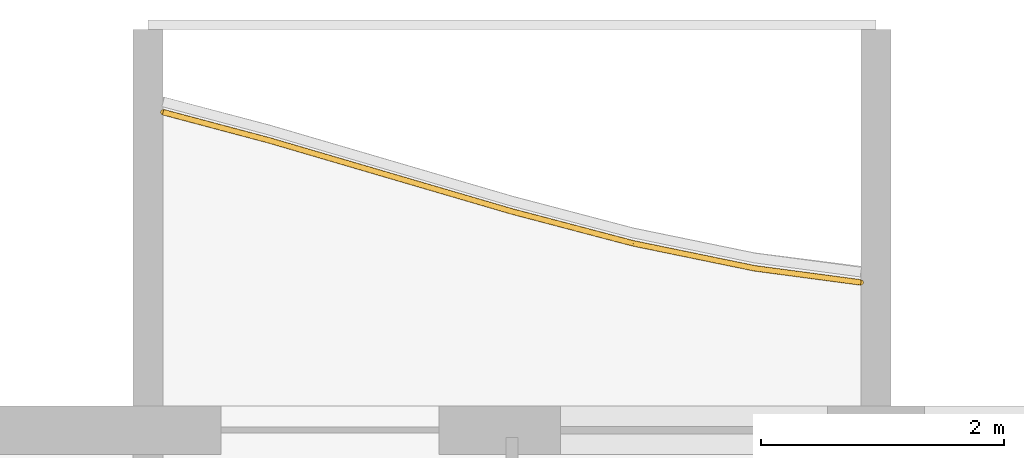
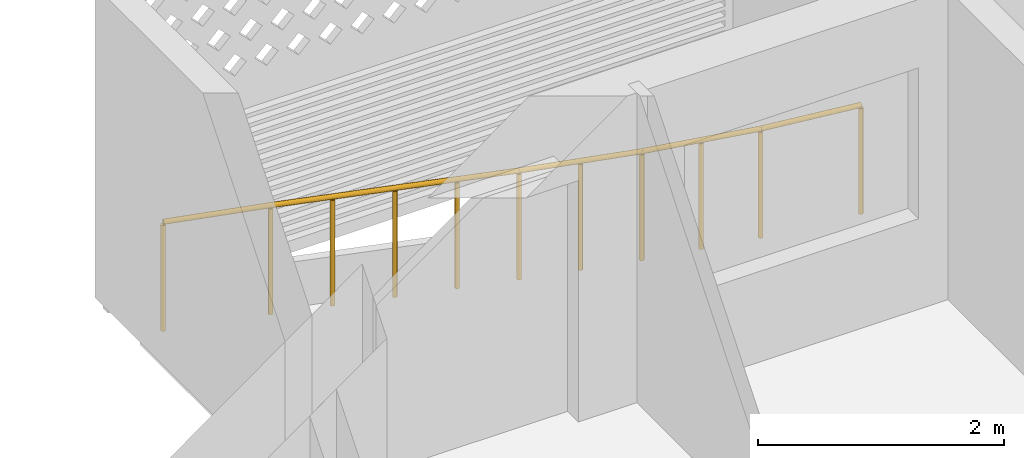
# One storey, part 15 of 26: 1 railing.
"""IFC4 building model written with IfcOpenShell, lengths in metres."""

from ifc_helpers import new_model, si_unit, direction, frame, origin, origin_2d, place, context, subcontext, project, spatial, circle, extrude, material, type_object, element, save


model = new_model("IFC4")

# Units and contexts
model_context = context("Model", 3, precision=1e-05, world=origin(), true_north=direction((0.0, 1.0)))
body_context = subcontext(model_context, "Body", "Model", "MODEL_VIEW")
ifc_project = project(units=[si_unit("LENGTHUNIT", "METRE"), si_unit("AREAUNIT", "SQUARE_METRE"), si_unit("VOLUMEUNIT", "CUBIC_METRE"), si_unit("PLANEANGLEUNIT", "RADIAN"), si_unit("MASSUNIT", "GRAM", prefix="KILO")], contexts=[model_context])

# Site, building, storey
site_placement = place(None, origin())
site = spatial("IfcSite", under=ifc_project, at=site_placement, CompositionType="ELEMENT")
building_placement = place(site_placement, origin())
building = spatial("IfcBuilding", under=site, at=building_placement, Name="Poui Terraces", CompositionType="ELEMENT")
storey_placement = place(building_placement, frame((0.0, 0.0, 241.199951171875)))
storey = spatial("IfcBuildingStorey", under=building, at=storey_placement, Name="L67", CompositionType="ELEMENT", Elevation=241.199951171875)

# Railing
ifc_material = material(Name="Painted steel fretwork", Category="steel")
railing_type = type_object("IfcRailingType", Name="BALCONY GUARD 1100", PredefinedType="GUARDRAIL", material=ifc_material)
railing_placement = place(storey_placement, frame((24.125, 43.820556640625, 0.0)))
element("IfcRailing", 1, at=railing_placement, inside=storey, type_object=railing_type, Name="BALCONY GUARD", PredefinedType="GUARDRAIL", context=body_context, shape_type="SweptSolid", body=[
    extrude(circle(Radius=0.02392578125, at=origin_2d()), frame((0.0, 0.0, 1.076171875), z_axis=(0.966418189442, -0.256974479503, 0.0), x_axis=(0.256974479503, 0.966418189442, 0.0)), (0.0, 0.0, 1.0), 0.905517578125),
    extrude(circle(Radius=0.02392578125, at=origin_2d()), frame((0.875, -0.232666015625, 1.076171875), z_axis=(0.959663427085, -0.281151394654, 0.0), x_axis=(0.281151394654, 0.959663427085, 0.0)), (0.0, 0.0, 1.0), 1.0419921875),
    extrude(circle(Radius=0.02392578125, at=origin_2d()), frame((1.875, -0.525634765625, 1.076171875), z_axis=(0.959726621702, -0.280935600444, 0.0), x_axis=(0.280935600444, 0.959726621702, 0.0)), (0.0, 0.0, 1.0), 1.0419921875),
    extrude(circle(Radius=0.02392578125, at=origin_2d()), frame((2.875, -0.818359375, 1.076171875), z_axis=(0.967126511287, -0.25429571598, 0.0), x_axis=(0.25429571598, 0.967126511287, 0.0)), (0.0, 0.0, 1.0), 1.033935546875),
    extrude(circle(Radius=0.02392578125, at=origin_2d()), frame((3.875, -1.081298828125, 1.076171875), z_axis=(0.979518122884, -0.201356020378, 0.0), x_axis=(0.201356020378, 0.979518122884, 0.0)), (0.0, 0.0, 1.0), 1.02099609375),
    extrude(circle(Radius=0.02392578125, at=origin_2d()), frame((4.875, -1.286865234375, 1.076171875), z_axis=(0.991295408391, -0.131656421427, 0.0), x_axis=(0.131656421427, 0.991295408391, 0.0)), (0.0, 0.0, 1.0), 0.882568359375),
    extrude(circle(Radius=0.02099609375, at=origin_2d()), origin(), (0.0, 0.0, 1.0), 1.052001953125),
    extrude(circle(Radius=0.02099609375, at=origin_2d()), frame((0.875, -0.232666015625, 0.0)), (0.0, 0.0, 1.0), 1.052001953125),
    extrude(circle(Radius=0.02099609375, at=origin_2d()), frame((1.375, -0.379150390625, 0.0)), (0.0, 0.0, 1.0), 1.052001953125),
    extrude(circle(Radius=0.02099609375, at=origin_2d()), frame((1.875, -0.525634765625, 0.0)), (0.0, 0.0, 1.0), 1.052001953125),
    extrude(circle(Radius=0.02099609375, at=origin_2d()), frame((2.375, -0.671875, 0.0)), (0.0, 0.0, 1.0), 1.052001953125),
    extrude(circle(Radius=0.02099609375, at=origin_2d()), frame((2.875, -0.818359375, 0.0)), (0.0, 0.0, 1.0), 1.052001953125),
    extrude(circle(Radius=0.02099609375, at=origin_2d()), frame((3.375, -0.94970703125, 0.0)), (0.0, 0.0, 1.0), 1.052001953125),
    extrude(circle(Radius=0.02099609375, at=origin_2d()), frame((3.875, -1.081298828125, 0.0)), (0.0, 0.0, 1.0), 1.052001953125),
    extrude(circle(Radius=0.02099609375, at=origin_2d()), frame((4.375, -1.18408203125, 0.0)), (0.0, 0.0, 1.0), 1.052001953125),
    extrude(circle(Radius=0.02099609375, at=origin_2d()), frame((4.875, -1.286865234375, 0.0)), (0.0, 0.0, 1.0), 1.052001953125),
    extrude(circle(Radius=0.02099609375, at=origin_2d()), frame((5.75, -1.403076171875, 0.0)), (0.0, 0.0, 1.0), 1.052001953125),
])

save(model, "model.ifc")
